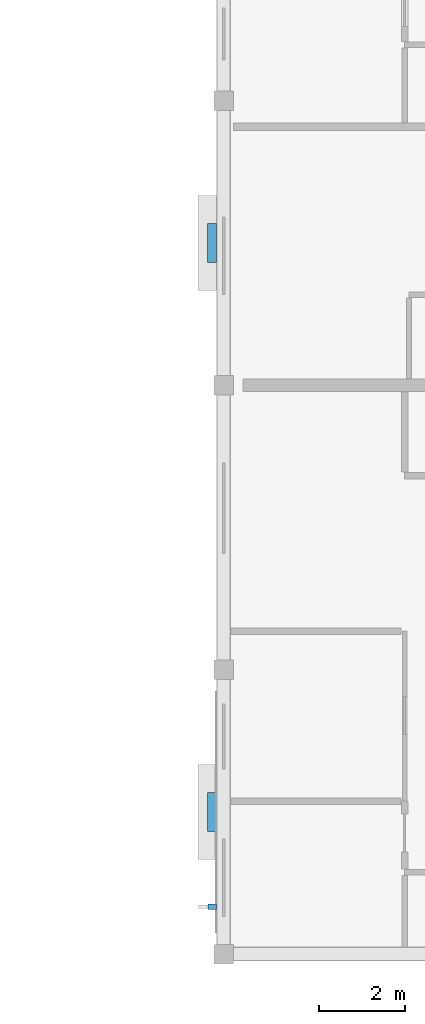
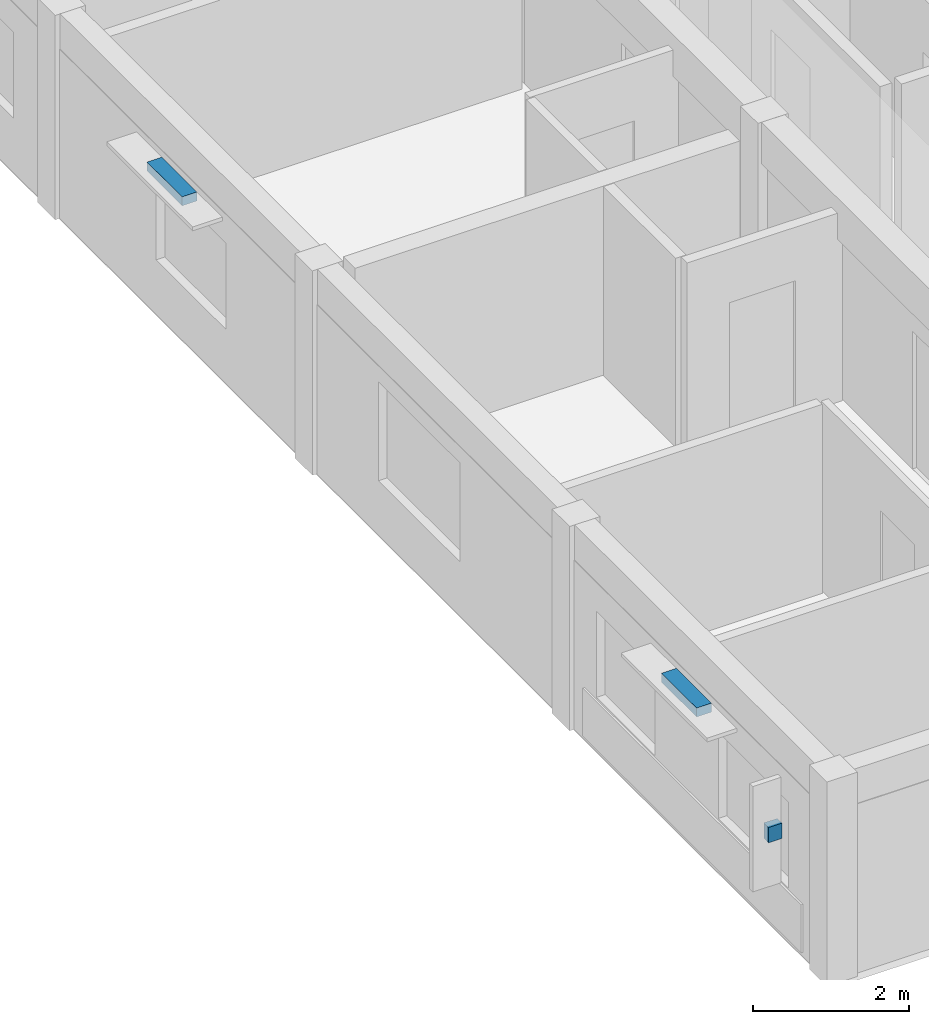
# One storey, part 45 of 53: 3 discrete accessories.
"""IFC4 building model written with IfcOpenShell, lengths in metres."""

import ifcopenshell
import ifcopenshell.guid

model = None  # the IFC model being written
_history = None  # IfcOwnerHistory: only IFC2X3 demands one
_inside = {}  # id of a spatial element -> (the spatial element, [elements in it])
_under = {}  # id of a project, library or spatial element -> (it, [spatial elements below it])
_declared = {}  # id of a project -> (the project, [libraries it declares])
_typed = {}  # id of a type object -> (the type object, [elements of that type])
_made_of = {}  # id of a material, layer set ... -> (it, [elements and type objects made of it])


def new_model(schema):
    """Start an empty IFC model of exactly this schema.

    Asked for "IFC4X3", IfcOpenShell would pick the latest addendum, in which some entities
    have other attributes; the version numbers below select the first issue.
    IFC2X3 requires an IfcOwnerHistory on every rooted entity: one is made here for all.
    """
    global model, _history
    if schema == "IFC4X3":
        model = ifcopenshell.file(schema_version=(4, 3, 0, 0))
    else:
        model = ifcopenshell.file(schema=schema)
    _inside.clear()
    _under.clear()
    _declared.clear()
    _typed.clear()
    _made_of.clear()
    _history = None
    if model.schema == "IFC2X3":
        org = make("IfcOrganization", Name="unknown")
        user = make(
            "IfcPersonAndOrganization",
            ThePerson=make("IfcPerson", FamilyName="unknown"),
            TheOrganization=org,
        )
        app = make(
            "IfcApplication",
            ApplicationDeveloper=org,
            Version="unknown",
            ApplicationFullName="unknown",
            ApplicationIdentifier="unknown",
        )
        _history = make(
            "IfcOwnerHistory",
            OwningUser=user,
            OwningApplication=app,
            ChangeAction="ADDED",
            CreationDate=0,
        )
    return model


def make(cls, **values):
    """One entity of the class cls with the attributes given. An attribute that is None is left unset."""
    return model.create_entity(
        cls, **{name: value for name, value in values.items() if value is not None}
    )


def rooted(cls, **values):
    """An entity with a GlobalId (a new one), such as an element, a storey or a relation."""
    return make(cls, GlobalId=ifcopenshell.guid.new(), OwnerHistory=_history, **values)


def si_unit(unit_type, name, prefix=None):
    """IfcSIUnit, for example si_unit("LENGTHUNIT", "METRE", prefix="MILLI")."""
    return make("IfcSIUnit", UnitType=unit_type, Prefix=prefix, Name=name)


def assignment(units):
    """IfcUnitAssignment: the units of a project."""
    return None if units is None else make("IfcUnitAssignment", Units=units)


def point(xyz):
    """IfcCartesianPoint."""
    return None if xyz is None else make("IfcCartesianPoint", Coordinates=xyz)


def direction(xyz):
    """IfcDirection."""
    return None if xyz is None else make("IfcDirection", DirectionRatios=xyz)


def frame(location, z_axis=None, x_axis=None):
    """IfcAxis2Placement3D, a coordinate frame: its origin and axes. An axis left out is left unset."""
    return make(
        "IfcAxis2Placement3D",
        Location=point(location),
        Axis=direction(z_axis),
        RefDirection=direction(x_axis),
    )


def frame_2d(location, x_axis=None):
    """IfcAxis2Placement2D, a coordinate frame in the plane: its origin and x axis."""
    return make(
        "IfcAxis2Placement2D", Location=point(location), RefDirection=direction(x_axis)
    )


def origin():
    """The frame at (0, 0, 0) with its axes left unset."""
    return frame((0.0, 0.0, 0.0))


def origin_2d():
    """The frame at (0, 0) in the plane with its x axis left unset."""
    return frame_2d((0.0, 0.0))


def place(relative_to, where):
    """IfcLocalPlacement: puts the frame where relative to a parent placement (None: the world)."""
    return make(
        "IfcLocalPlacement", PlacementRelTo=relative_to, RelativePlacement=where
    )


def context(
    kind, dimensions, precision=None, world=None, true_north=None, identifier=None
):
    """IfcGeometricRepresentationContext, for example the 3D "Model" context."""
    return make(
        "IfcGeometricRepresentationContext",
        ContextIdentifier=identifier,
        ContextType=kind,
        CoordinateSpaceDimension=dimensions,
        Precision=precision,
        WorldCoordinateSystem=world,
        TrueNorth=true_north,
    )


def subcontext(parent, identifier, kind, view, scale=None):
    """IfcGeometricRepresentationSubContext, for example "Body" below "Model"."""
    return make(
        "IfcGeometricRepresentationSubContext",
        ContextIdentifier=identifier,
        ContextType=kind,
        ParentContext=parent,
        TargetScale=scale,
        TargetView=view,
    )


def project(units=None, contexts=None):
    """IfcProject with its units and contexts."""
    return rooted(
        "IfcProject",
        Name="project",
        RepresentationContexts=contexts,
        UnitsInContext=assignment(units),
    )


def spatial(cls, under=None, at=None, **own):
    """A site, building, storey or space (cls), placed at a placement, below another one or the project."""
    s = rooted(cls, ObjectPlacement=at, **own)
    if under is not None:
        _under.setdefault(under.id(), (under, []))[1].append(s)
    return s


def profile(cls, at=None, kind="AREA", **sizes):
    """A parametric profile (cls). Its sizes go by their IFC names, for example OverallWidth=200.0."""
    return make(cls, ProfileType=kind, Position=at, **sizes)


def rectangle(**sizes):
    """IfcRectangleProfileDef."""
    return profile("IfcRectangleProfileDef", **sizes)


def extrude(swept, where, along, depth):
    """IfcExtrudedAreaSolid: the profile swept, set in the frame where, extruded along a direction by depth."""
    return make(
        "IfcExtrudedAreaSolid",
        SweptArea=swept,
        Position=where,
        ExtrudedDirection=direction(along),
        Depth=depth,
    )


def shape(context_of_items, identifier, shape_type, items):
    """IfcShapeRepresentation: the items that make up one representation, for example the "Body"."""
    return make(
        "IfcShapeRepresentation",
        ContextOfItems=context_of_items,
        RepresentationIdentifier=identifier,
        RepresentationType=shape_type,
        Items=items,
    )


def material(Name=None, Category=None):
    """IfcMaterial."""
    return make("IfcMaterial", Name=Name, Category=Category)


def made_of(thing, what):
    """Note that an element or type object is made of a material, layer set ...; save() writes the relation."""
    if what is not None:
        _made_of.setdefault(what.id(), (what, []))[1].append(thing)
    return thing


def type_object(cls, material=None, **own):
    """A type object (cls), such as IfcWallType, which elements share."""
    return made_of(rooted(cls, **own), material)


def element(
    cls,
    number,
    at=None,
    inside=None,
    cuts=None,
    type_object=None,
    material=None,
    context=None,
    identifier="Body",
    shape_type=None,
    held_by="IfcProductDefinitionShape",
    body=None,
    shapes=None,
    **own,
):
    """One element of the class cls, such as IfcWall. Its Tag is "e" and its number.

    at: its placement. inside: the storey or other place that contains it. cuts: it is an
    opening in that element (IfcRelVoidsElement). A single representation is given by context,
    identifier, shape_type and body (its items); several are given by shapes. held_by: the class
    of the entity that holds the representations. save() writes the other relations.
    """
    e = rooted(cls, Tag="e%d" % number, ObjectPlacement=at, **own)
    if body is not None:
        shapes = [shape(context, identifier, shape_type, body)]
    if shapes is not None:
        e.Representation = make(held_by, Representations=shapes)
    if inside is not None:
        _inside.setdefault(inside.id(), (inside, []))[1].append(e)
    if cuts is not None:
        rooted(
            "IfcRelVoidsElement", RelatingBuildingElement=cuts, RelatedOpeningElement=e
        )
    if type_object is not None:
        _typed.setdefault(type_object.id(), (type_object, []))[1].append(e)
    return made_of(e, material)


def aggregate(whole, parts):
    """IfcRelAggregates: a whole, such as a stair, and the parts it consists of."""
    return rooted("IfcRelAggregates", RelatingObject=whole, RelatedObjects=parts)


def save(model, path):
    """Write the relations noted so far, then the file.

    IfcRelAggregates (storeys below a building ...), IfcRelContainedInSpatialStructure (elements
    in a storey), IfcRelDefinesByType, IfcRelAssociatesMaterial and IfcRelDeclares: one each for
    every whole, place, type object, material and project.
    """
    for whole, parts in _under.values():
        aggregate(whole, parts)
    for where, things in _inside.values():
        rooted(
            "IfcRelContainedInSpatialStructure",
            RelatedElements=things,
            RelatingStructure=where,
        )
    for kind, things in _typed.values():
        rooted("IfcRelDefinesByType", RelatedObjects=things, RelatingType=kind)
    for what, things in _made_of.values():
        rooted("IfcRelAssociatesMaterial", RelatedObjects=things, RelatingMaterial=what)
    for by, libraries in _declared.values():
        rooted("IfcRelDeclares", RelatingContext=by, RelatedDefinitions=libraries)
    model.write(path)


model = new_model("IFC4")

# Units and contexts
model_context = context("Model", 3, precision=1e-05, world=origin(), true_north=direction((0.0, 1.0)))
body_context = subcontext(model_context, "Body", "Model", "MODEL_VIEW")
ifc_project = project(units=[si_unit("LENGTHUNIT", "METRE"), si_unit("AREAUNIT", "SQUARE_METRE"), si_unit("VOLUMEUNIT", "CUBIC_METRE"), si_unit("PLANEANGLEUNIT", "RADIAN"), si_unit("MASSUNIT", "GRAM", prefix="KILO")], contexts=[model_context])

# Site, building, storey
site_placement = place(None, origin())
site = spatial("IfcSite", under=ifc_project, at=site_placement, CompositionType="ELEMENT")
building_placement = place(site_placement, origin())
building = spatial("IfcBuilding", under=site, at=building_placement, Name="Kernevlak Ridge Housing Community", CompositionType="ELEMENT")
storey_placement = place(building_placement, frame((0.0, 0.0, 18.0)))
storey = spatial("IfcBuildingStorey", under=building, at=storey_placement, Name="L05", CompositionType="ELEMENT", Elevation=18.0)

# Discrete accessories
ifc_material = material(Name="Steel S355 galvanised", Category="steel")
discrete_accessory_type = type_object("IfcDiscreteAccessoryType", Name="BK-01", PredefinedType="BRACKET", material=ifc_material)
discrete_accessory_1_placement = place(storey_placement, frame((125.72998046875, 18.89990234375, 2.41015625), z_axis=(0.0, 0.0, 1.0), x_axis=(0.0, 1.0, 0.0)))
element("IfcDiscreteAccessory", 1, at=discrete_accessory_1_placement, inside=storey, type_object=discrete_accessory_type, Name="Sunshade steel bracket 31", PredefinedType="BRACKET", context=body_context, shape_type="SweptSolid", body=[
    extrude(rectangle(XDim=0.89990234375, YDim=0.219970703125, at=origin_2d()), origin(), (0.0, 0.0, 1.0), 0.139892578125),
])
discrete_accessory_2_placement = place(storey_placement, frame((125.739990234375, 16.699951171875, 1.52978515625), z_axis=(0.0, 0.0, 1.0), x_axis=(0.0, 1.0, 0.0)))
element("IfcDiscreteAccessory", 2, at=discrete_accessory_2_placement, inside=storey, type_object=discrete_accessory_type, Name="Vertical fin fixing bracket 31", PredefinedType="BRACKET", context=body_context, shape_type="SweptSolid", body=[
    extrude(rectangle(XDim=0.1201171875, YDim=0.199951171875, at=origin_2d()), origin(), (0.0, 0.0, 1.0), 0.239990234375),
])
discrete_accessory_3_placement = place(storey_placement, frame((125.72998046875, 32.10009765625, 2.41015625), z_axis=(0.0, 0.0, 1.0), x_axis=(0.0, 1.0, 0.0)))
element("IfcDiscreteAccessory", 3, at=discrete_accessory_3_placement, inside=storey, type_object=discrete_accessory_type, Name="Sunshade steel bracket 32", PredefinedType="BRACKET", context=body_context, shape_type="SweptSolid", body=[
    extrude(rectangle(XDim=0.89990234375, YDim=0.219970703125, at=origin_2d()), origin(), (0.0, 0.0, 1.0), 0.139892578125),
])

save(model, "model.ifc")
